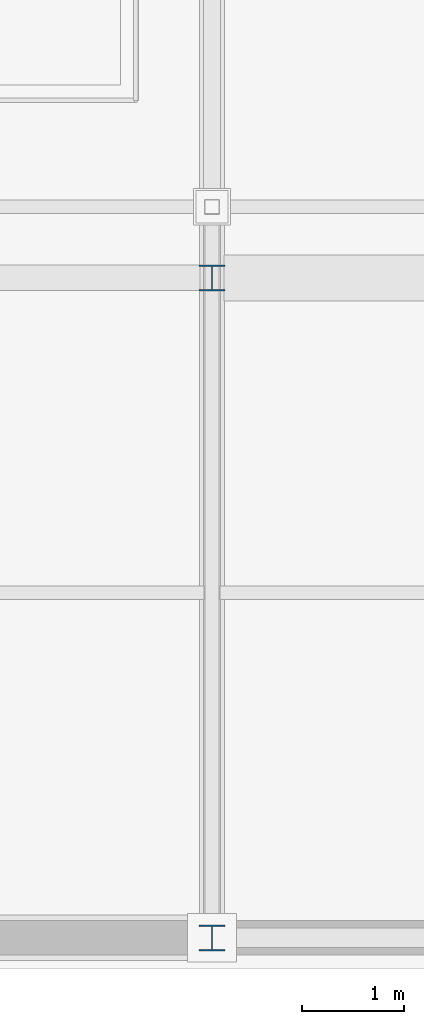
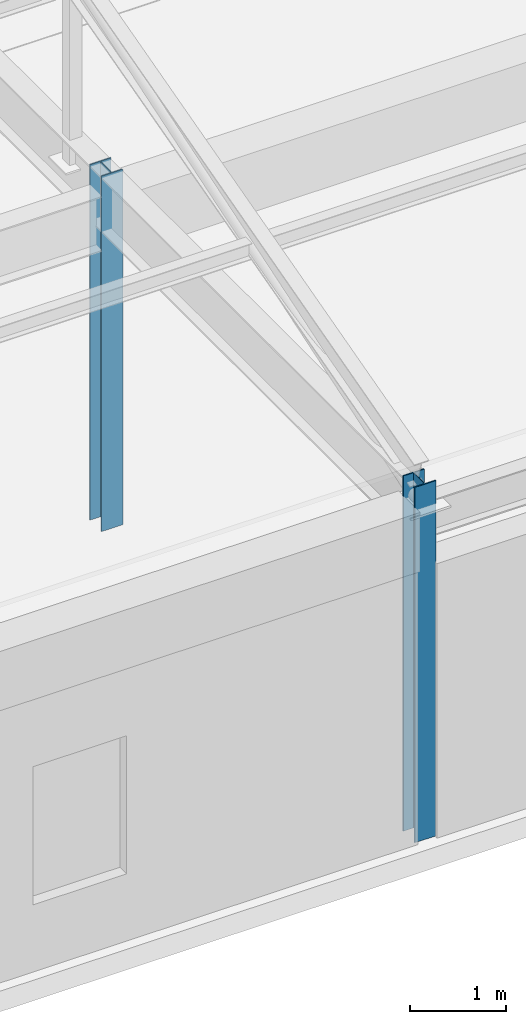
# One storey, part 2 of 112: 2 columns.
"""IFC4 building model written with IfcOpenShell, lengths in metres."""

from ifc_helpers import new_model, si_unit, direction, frame, origin, origin_2d, place, context, subcontext, project, spatial, i_section, extrude, material, material_profile, profile_set, type_object, element, save


model = new_model("IFC4")

# Units and contexts
model_context = context("Model", 3, precision=1e-05, world=origin(), true_north=direction((0.0, 1.0)))
body_context = subcontext(model_context, "Body", "Model", "MODEL_VIEW")
ifc_project = project(units=[si_unit("LENGTHUNIT", "METRE"), si_unit("AREAUNIT", "SQUARE_METRE"), si_unit("VOLUMEUNIT", "CUBIC_METRE"), si_unit("PLANEANGLEUNIT", "RADIAN"), si_unit("MASSUNIT", "GRAM", prefix="KILO")], contexts=[model_context])

# Site, building, storey
site_placement = place(None, origin())
site = spatial("IfcSite", under=ifc_project, at=site_placement, CompositionType="ELEMENT")
building_placement = place(site_placement, origin())
building = spatial("IfcBuilding", under=site, at=building_placement, Name="Cinderbank Siding Concert Hall", CompositionType="ELEMENT")
storey_placement = place(building_placement, frame((0.0, 0.0, 10.199951171875)))
storey = spatial("IfcBuildingStorey", under=building, at=storey_placement, Name="L03", CompositionType="ELEMENT", Elevation=10.199951171875)

# Columns
ifc_material = material(Name="Structural steel AS/NZS 3679.1 Grade 350 (340 MPa)", Category="steel")
ifc_material_profile = material_profile(ifc_material, i_section(OverallWidth=0.25390625, OverallDepth=0.25390625, WebThickness=0.008544921875, FlangeThickness=0.01416015625, at=origin_2d()), Name="250UC72.9", Category="LoadBearing")
ifc_profile_set = profile_set([ifc_material_profile], Name="Structural steel AS/NZS 3679.1 Grade 350 (340 MPa)")
column_type = type_object("IfcColumnType", Name="C-UC250 250UC72.9", PredefinedType="COLUMN", material=ifc_profile_set)
for number, where, z_axis, x_axis, name in (
    (1, (37.39990234375, 6.10009765625, 0.0), (0.0, 0.0, 1.0), (1.0, 0.0, 0.0), "L03 Column COL-V2-5-1"),
    (2, (37.39990234375, 12.60009765625, 0.0), (0.0, 0.0, 1.0), (1.0, 0.0, 0.0), "L03 Column COL-V2-5-2"),
):
    element("IfcColumn", number, at=place(storey_placement, frame(where, z_axis=z_axis, x_axis=x_axis)), inside=storey, type_object=column_type, Name=name, PredefinedType="COLUMN", context=body_context, shape_type="SweptSolid", body=[
        extrude(i_section(OverallWidth=0.25390625, OverallDepth=0.25390625, WebThickness=0.008544921875, FlangeThickness=0.01416015625, at=origin_2d()), origin(), (0.0, 0.0, 1.0), 4.5),
    ])

save(model, "model.ifc")
